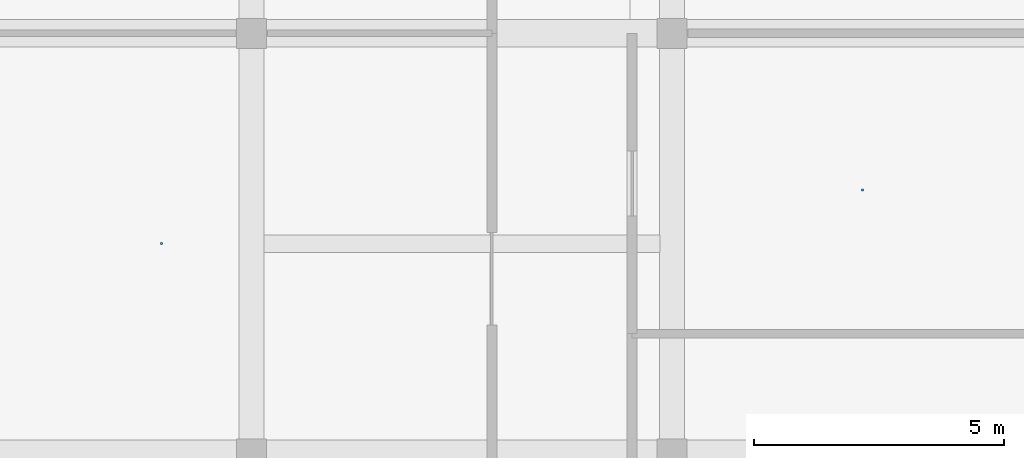
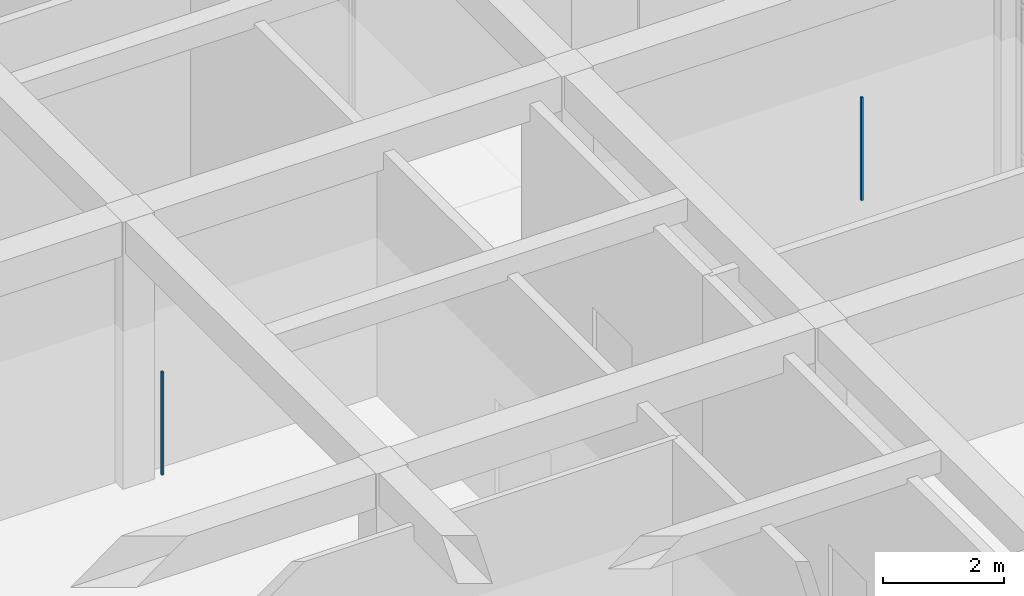
# One storey, part 111 of 157: 2 discrete accessories.
"""IFC4 building model written with IfcOpenShell, lengths in metres."""

import ifcopenshell
import ifcopenshell.guid

model = None  # the IFC model being written
_history = None  # IfcOwnerHistory: only IFC2X3 demands one
_inside = {}  # id of a spatial element -> (the spatial element, [elements in it])
_under = {}  # id of a project, library or spatial element -> (it, [spatial elements below it])
_declared = {}  # id of a project -> (the project, [libraries it declares])
_typed = {}  # id of a type object -> (the type object, [elements of that type])
_made_of = {}  # id of a material, layer set ... -> (it, [elements and type objects made of it])


def new_model(schema):
    """Start an empty IFC model of exactly this schema.

    Asked for "IFC4X3", IfcOpenShell would pick the latest addendum, in which some entities
    have other attributes; the version numbers below select the first issue.
    IFC2X3 requires an IfcOwnerHistory on every rooted entity: one is made here for all.
    """
    global model, _history
    if schema == "IFC4X3":
        model = ifcopenshell.file(schema_version=(4, 3, 0, 0))
    else:
        model = ifcopenshell.file(schema=schema)
    _inside.clear()
    _under.clear()
    _declared.clear()
    _typed.clear()
    _made_of.clear()
    _history = None
    if model.schema == "IFC2X3":
        org = make("IfcOrganization", Name="unknown")
        user = make(
            "IfcPersonAndOrganization",
            ThePerson=make("IfcPerson", FamilyName="unknown"),
            TheOrganization=org,
        )
        app = make(
            "IfcApplication",
            ApplicationDeveloper=org,
            Version="unknown",
            ApplicationFullName="unknown",
            ApplicationIdentifier="unknown",
        )
        _history = make(
            "IfcOwnerHistory",
            OwningUser=user,
            OwningApplication=app,
            ChangeAction="ADDED",
            CreationDate=0,
        )
    return model


def make(cls, **values):
    """One entity of the class cls with the attributes given. An attribute that is None is left unset."""
    return model.create_entity(
        cls, **{name: value for name, value in values.items() if value is not None}
    )


def rooted(cls, **values):
    """An entity with a GlobalId (a new one), such as an element, a storey or a relation."""
    return make(cls, GlobalId=ifcopenshell.guid.new(), OwnerHistory=_history, **values)


def si_unit(unit_type, name, prefix=None):
    """IfcSIUnit, for example si_unit("LENGTHUNIT", "METRE", prefix="MILLI")."""
    return make("IfcSIUnit", UnitType=unit_type, Prefix=prefix, Name=name)


def assignment(units):
    """IfcUnitAssignment: the units of a project."""
    return None if units is None else make("IfcUnitAssignment", Units=units)


def point(xyz):
    """IfcCartesianPoint."""
    return None if xyz is None else make("IfcCartesianPoint", Coordinates=xyz)


def direction(xyz):
    """IfcDirection."""
    return None if xyz is None else make("IfcDirection", DirectionRatios=xyz)


def frame(location, z_axis=None, x_axis=None):
    """IfcAxis2Placement3D, a coordinate frame: its origin and axes. An axis left out is left unset."""
    return make(
        "IfcAxis2Placement3D",
        Location=point(location),
        Axis=direction(z_axis),
        RefDirection=direction(x_axis),
    )


def frame_2d(location, x_axis=None):
    """IfcAxis2Placement2D, a coordinate frame in the plane: its origin and x axis."""
    return make(
        "IfcAxis2Placement2D", Location=point(location), RefDirection=direction(x_axis)
    )


def origin():
    """The frame at (0, 0, 0) with its axes left unset."""
    return frame((0.0, 0.0, 0.0))


def origin_2d():
    """The frame at (0, 0) in the plane with its x axis left unset."""
    return frame_2d((0.0, 0.0))


def place(relative_to, where):
    """IfcLocalPlacement: puts the frame where relative to a parent placement (None: the world)."""
    return make(
        "IfcLocalPlacement", PlacementRelTo=relative_to, RelativePlacement=where
    )


def context(
    kind, dimensions, precision=None, world=None, true_north=None, identifier=None
):
    """IfcGeometricRepresentationContext, for example the 3D "Model" context."""
    return make(
        "IfcGeometricRepresentationContext",
        ContextIdentifier=identifier,
        ContextType=kind,
        CoordinateSpaceDimension=dimensions,
        Precision=precision,
        WorldCoordinateSystem=world,
        TrueNorth=true_north,
    )


def subcontext(parent, identifier, kind, view, scale=None):
    """IfcGeometricRepresentationSubContext, for example "Body" below "Model"."""
    return make(
        "IfcGeometricRepresentationSubContext",
        ContextIdentifier=identifier,
        ContextType=kind,
        ParentContext=parent,
        TargetScale=scale,
        TargetView=view,
    )


def project(units=None, contexts=None):
    """IfcProject with its units and contexts."""
    return rooted(
        "IfcProject",
        Name="project",
        RepresentationContexts=contexts,
        UnitsInContext=assignment(units),
    )


def spatial(cls, under=None, at=None, **own):
    """A site, building, storey or space (cls), placed at a placement, below another one or the project."""
    s = rooted(cls, ObjectPlacement=at, **own)
    if under is not None:
        _under.setdefault(under.id(), (under, []))[1].append(s)
    return s


def profile(cls, at=None, kind="AREA", **sizes):
    """A parametric profile (cls). Its sizes go by their IFC names, for example OverallWidth=200.0."""
    return make(cls, ProfileType=kind, Position=at, **sizes)


def rectangle(**sizes):
    """IfcRectangleProfileDef."""
    return profile("IfcRectangleProfileDef", **sizes)


def extrude(swept, where, along, depth):
    """IfcExtrudedAreaSolid: the profile swept, set in the frame where, extruded along a direction by depth."""
    return make(
        "IfcExtrudedAreaSolid",
        SweptArea=swept,
        Position=where,
        ExtrudedDirection=direction(along),
        Depth=depth,
    )


def shape(context_of_items, identifier, shape_type, items):
    """IfcShapeRepresentation: the items that make up one representation, for example the "Body"."""
    return make(
        "IfcShapeRepresentation",
        ContextOfItems=context_of_items,
        RepresentationIdentifier=identifier,
        RepresentationType=shape_type,
        Items=items,
    )


def material(Name=None, Category=None):
    """IfcMaterial."""
    return make("IfcMaterial", Name=Name, Category=Category)


def made_of(thing, what):
    """Note that an element or type object is made of a material, layer set ...; save() writes the relation."""
    if what is not None:
        _made_of.setdefault(what.id(), (what, []))[1].append(thing)
    return thing


def type_object(cls, material=None, **own):
    """A type object (cls), such as IfcWallType, which elements share."""
    return made_of(rooted(cls, **own), material)


def element(
    cls,
    number,
    at=None,
    inside=None,
    cuts=None,
    type_object=None,
    material=None,
    context=None,
    identifier="Body",
    shape_type=None,
    held_by="IfcProductDefinitionShape",
    body=None,
    shapes=None,
    **own,
):
    """One element of the class cls, such as IfcWall. Its Tag is "e" and its number.

    at: its placement. inside: the storey or other place that contains it. cuts: it is an
    opening in that element (IfcRelVoidsElement). A single representation is given by context,
    identifier, shape_type and body (its items); several are given by shapes. held_by: the class
    of the entity that holds the representations. save() writes the other relations.
    """
    e = rooted(cls, Tag="e%d" % number, ObjectPlacement=at, **own)
    if body is not None:
        shapes = [shape(context, identifier, shape_type, body)]
    if shapes is not None:
        e.Representation = make(held_by, Representations=shapes)
    if inside is not None:
        _inside.setdefault(inside.id(), (inside, []))[1].append(e)
    if cuts is not None:
        rooted(
            "IfcRelVoidsElement", RelatingBuildingElement=cuts, RelatedOpeningElement=e
        )
    if type_object is not None:
        _typed.setdefault(type_object.id(), (type_object, []))[1].append(e)
    return made_of(e, material)


def aggregate(whole, parts):
    """IfcRelAggregates: a whole, such as a stair, and the parts it consists of."""
    return rooted("IfcRelAggregates", RelatingObject=whole, RelatedObjects=parts)


def save(model, path):
    """Write the relations noted so far, then the file.

    IfcRelAggregates (storeys below a building ...), IfcRelContainedInSpatialStructure (elements
    in a storey), IfcRelDefinesByType, IfcRelAssociatesMaterial and IfcRelDeclares: one each for
    every whole, place, type object, material and project.
    """
    for whole, parts in _under.values():
        aggregate(whole, parts)
    for where, things in _inside.values():
        rooted(
            "IfcRelContainedInSpatialStructure",
            RelatedElements=things,
            RelatingStructure=where,
        )
    for kind, things in _typed.values():
        rooted("IfcRelDefinesByType", RelatedObjects=things, RelatingType=kind)
    for what, things in _made_of.values():
        rooted("IfcRelAssociatesMaterial", RelatedObjects=things, RelatingMaterial=what)
    for by, libraries in _declared.values():
        rooted("IfcRelDeclares", RelatingContext=by, RelatedDefinitions=libraries)
    model.write(path)


model = new_model("IFC4")

# Units and contexts
model_context = context("Model", 3, precision=1e-05, world=origin(), true_north=direction((0.0, 1.0)))
body_context = subcontext(model_context, "Body", "Model", "MODEL_VIEW")
ifc_project = project(units=[si_unit("LENGTHUNIT", "METRE"), si_unit("AREAUNIT", "SQUARE_METRE"), si_unit("VOLUMEUNIT", "CUBIC_METRE"), si_unit("PLANEANGLEUNIT", "RADIAN"), si_unit("MASSUNIT", "GRAM", prefix="KILO")], contexts=[model_context])

# Site, building, storey
site_placement = place(None, origin())
site = spatial("IfcSite", under=ifc_project, at=site_placement, CompositionType="ELEMENT")
building_placement = place(site_placement, origin())
building = spatial("IfcBuilding", under=site, at=building_placement, Name="Varncliffe General Hospital", CompositionType="ELEMENT")
storey_placement = place(building_placement, frame((0.0, 0.0, 5.39990234375)))
storey = spatial("IfcBuildingStorey", under=building, at=storey_placement, Name="L01", CompositionType="ELEMENT", Elevation=5.39990234375)

# Discrete accessories
ifc_material = material(Name="Powder-coated hospital steel guardrail and handrail", Category="steel")
discrete_accessory_type = type_object("IfcDiscreteAccessoryType", Name="Suspended Ceiling Hanger Bracket CH01", PredefinedType="BRACKET", material=ifc_material)
for number, where, z_axis, x_axis, name in (
    (1, (6.60009765625, 78.60009765625, 3.18994140625), (0.0, 0.0, 1.0), (1.0, 0.0, 0.0), "L01 Suspended Ceiling Hanger 148"),
    (2, (20.60009765625, 79.669921875, 3.18994140625), (0.0, 0.0, 1.0), (1.0, 0.0, 0.0), "L01 Suspended Ceiling Hanger 153"),
):
    element("IfcDiscreteAccessory", number, at=place(storey_placement, frame(where, z_axis=z_axis, x_axis=x_axis)), inside=storey, type_object=discrete_accessory_type, Name=name, PredefinedType="BRACKET", context=body_context, shape_type="SweptSolid", body=[
        extrude(rectangle(XDim=0.0400390625, YDim=0.0400390625, at=origin_2d()), origin(), (0.0, 0.0, 1.0), 2.090087890625),
    ])

save(model, "model.ifc")
